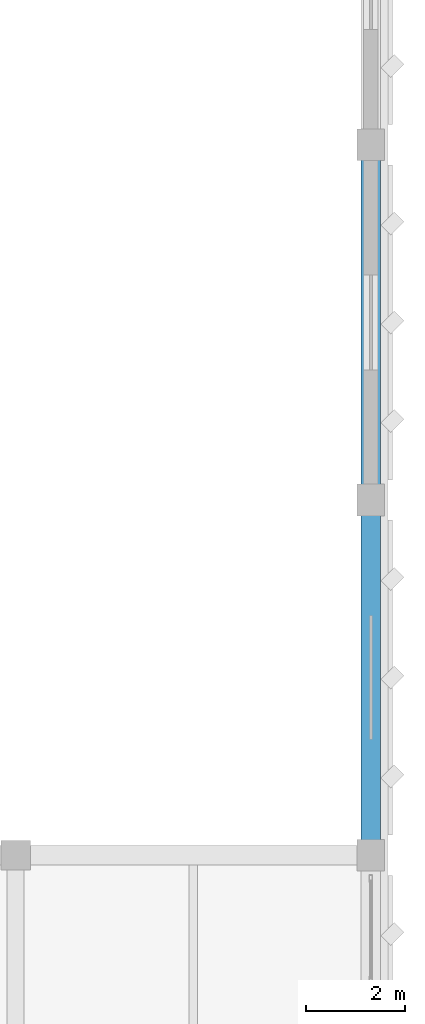
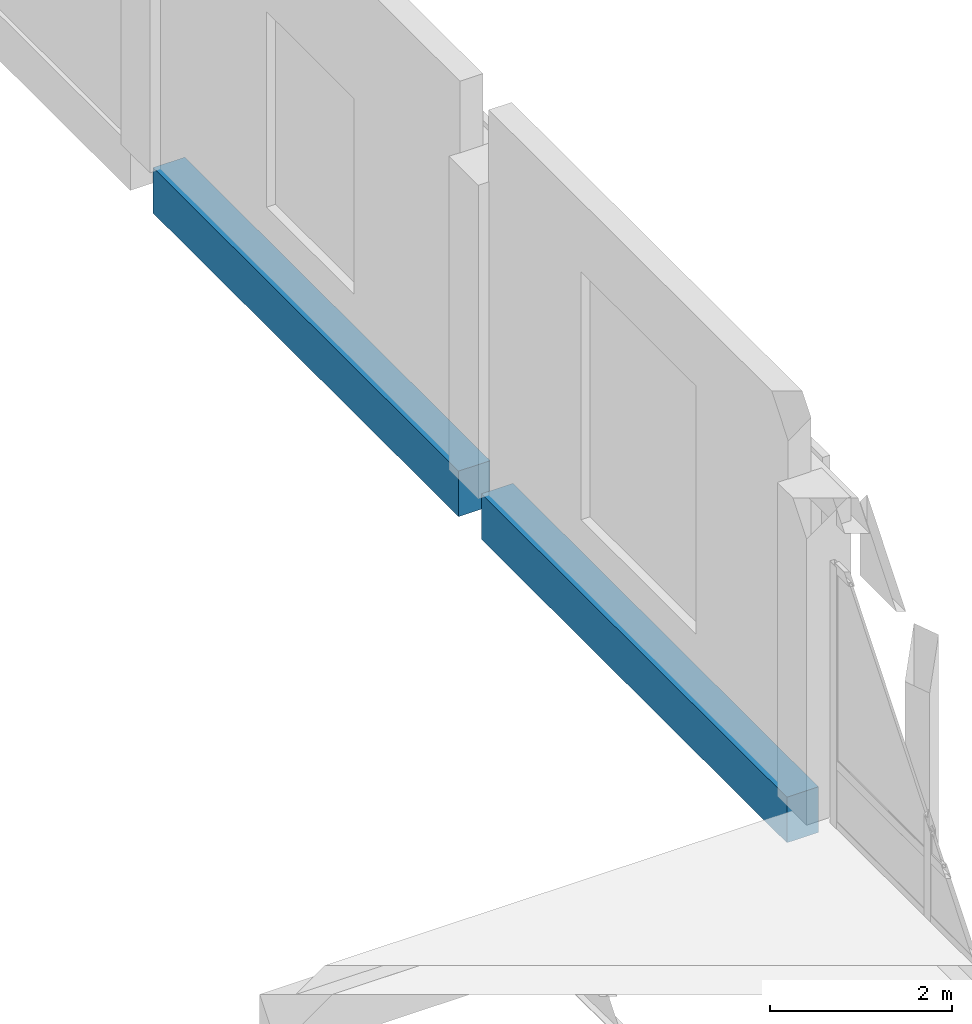
# One storey, part 96 of 158: 2 beams.
"""IFC4 building model written with IfcOpenShell, lengths in metres."""

from ifc_helpers import new_model, si_unit, direction, frame, origin, origin_2d, place, context, subcontext, project, spatial, rectangle, extrude, material, material_profile, profile_set, type_object, element, save


model = new_model("IFC4")

# Units and contexts
model_context = context("Model", 3, precision=1e-05, world=origin(), true_north=direction((0.0, 1.0)))
body_context = subcontext(model_context, "Body", "Model", "MODEL_VIEW")
ifc_project = project(units=[si_unit("LENGTHUNIT", "METRE"), si_unit("AREAUNIT", "SQUARE_METRE"), si_unit("VOLUMEUNIT", "CUBIC_METRE"), si_unit("PLANEANGLEUNIT", "RADIAN"), si_unit("MASSUNIT", "GRAM", prefix="KILO")], contexts=[model_context])

# Site, building, storey
site_placement = place(None, origin())
site = spatial("IfcSite", under=ifc_project, at=site_placement, CompositionType="ELEMENT")
building_placement = place(site_placement, origin())
building = spatial("IfcBuilding", under=site, at=building_placement, Name="Lusvemor Sports Hall", CompositionType="ELEMENT")
storey_placement = place(building_placement, frame((0.0, 0.0, 10.800048828125)))
storey = spatial("IfcBuildingStorey", under=building, at=storey_placement, Name="L02", CompositionType="ELEMENT", Elevation=10.800048828125)

# Beams
ifc_material = material(Name="Concrete C40/50", Category="concrete")
ifc_material_profile = material_profile(ifc_material, rectangle(XDim=0.39990234375, YDim=0.610107421875, at=origin_2d()), Name="RC400x610")
ifc_profile_set = profile_set([ifc_material_profile], Name="Concrete C40/50")
beam_type = type_object("IfcBeamType", Name="SPAND_EXT_650", PredefinedType="SPANDREL", material=ifc_profile_set)
for number, where, z_axis, x_axis, name in (
    (1, (169.199951171875, 47.050048828125, -0.304931640625), (0.0, 1.0, 0.0), (-1.0, 0.0, 0.0), "Climbing Hall East Girt L02-1"),
    (2, (169.199951171875, 54.25, -0.304931640625), (0.0, 1.0, 0.0), (-1.0, 0.0, 0.0), "Climbing Hall East Girt L02-2"),
):
    element("IfcBeam", number, at=place(storey_placement, frame(where, z_axis=z_axis, x_axis=x_axis)), inside=storey, type_object=beam_type, Name=name, PredefinedType="SPANDREL", context=body_context, shape_type="SweptSolid", body=[
        extrude(rectangle(XDim=0.39990234375, YDim=0.610107421875, at=origin_2d()), origin(), (0.0, 0.0, 1.0), 6.699951171875),
    ])

save(model, "model.ifc")
